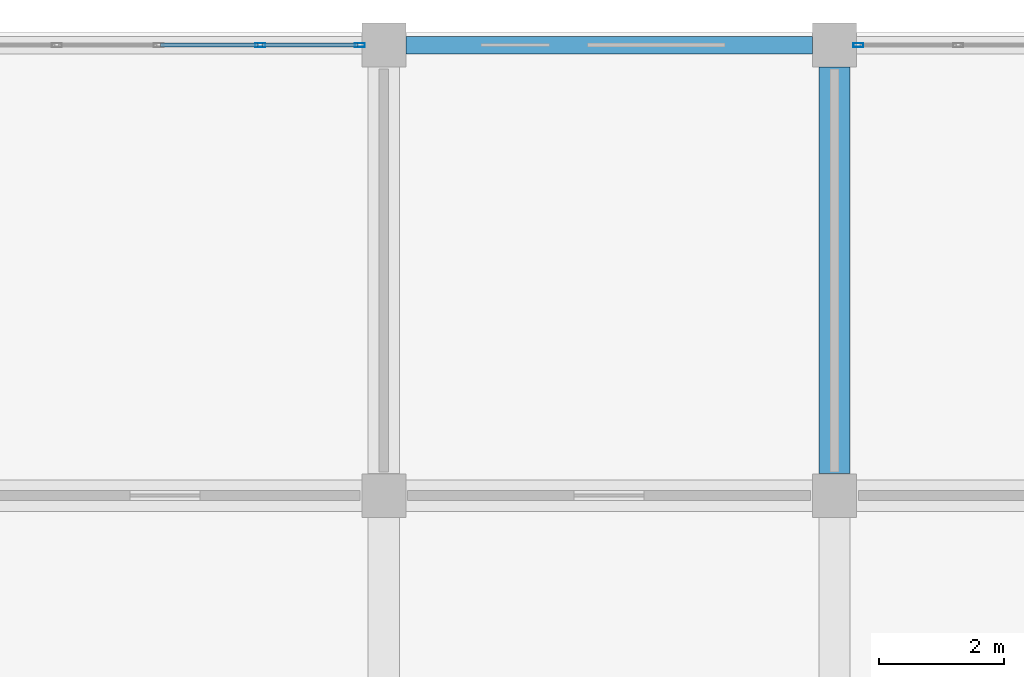
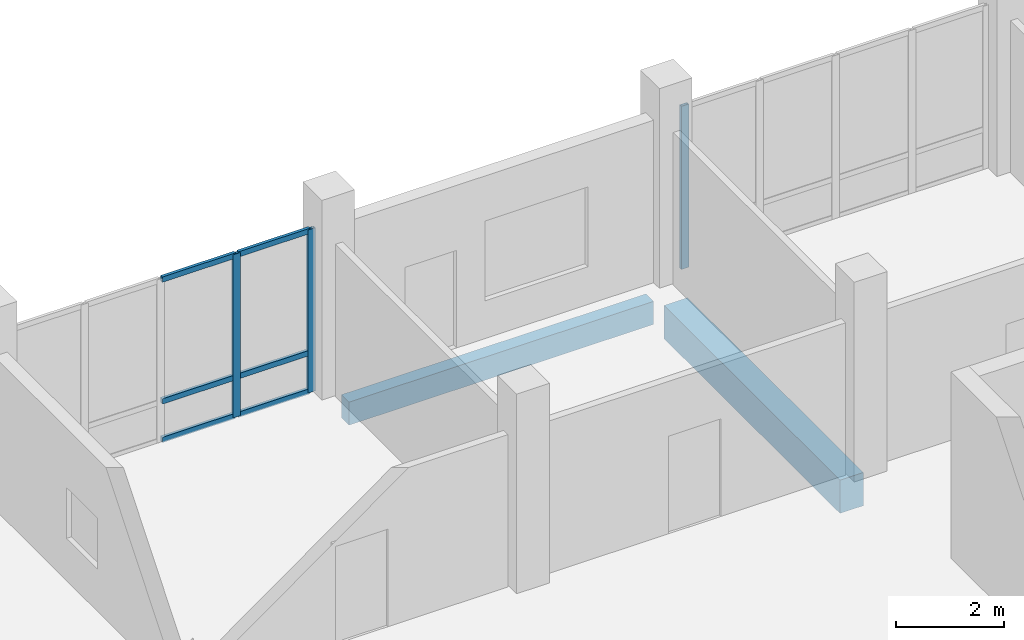
# One storey, part 92 of 139: 9 members, 2 beams, 2 elements without a shape of their own.
"""IFC4 building model written with IfcOpenShell, lengths in metres."""

import ifcopenshell
import ifcopenshell.guid

model = None  # the IFC model being written
_history = None  # IfcOwnerHistory: only IFC2X3 demands one
_inside = {}  # id of a spatial element -> (the spatial element, [elements in it])
_under = {}  # id of a project, library or spatial element -> (it, [spatial elements below it])
_declared = {}  # id of a project -> (the project, [libraries it declares])
_typed = {}  # id of a type object -> (the type object, [elements of that type])
_made_of = {}  # id of a material, layer set ... -> (it, [elements and type objects made of it])


def new_model(schema):
    """Start an empty IFC model of exactly this schema.

    Asked for "IFC4X3", IfcOpenShell would pick the latest addendum, in which some entities
    have other attributes; the version numbers below select the first issue.
    IFC2X3 requires an IfcOwnerHistory on every rooted entity: one is made here for all.
    """
    global model, _history
    if schema == "IFC4X3":
        model = ifcopenshell.file(schema_version=(4, 3, 0, 0))
    else:
        model = ifcopenshell.file(schema=schema)
    _inside.clear()
    _under.clear()
    _declared.clear()
    _typed.clear()
    _made_of.clear()
    _history = None
    if model.schema == "IFC2X3":
        org = make("IfcOrganization", Name="unknown")
        user = make(
            "IfcPersonAndOrganization",
            ThePerson=make("IfcPerson", FamilyName="unknown"),
            TheOrganization=org,
        )
        app = make(
            "IfcApplication",
            ApplicationDeveloper=org,
            Version="unknown",
            ApplicationFullName="unknown",
            ApplicationIdentifier="unknown",
        )
        _history = make(
            "IfcOwnerHistory",
            OwningUser=user,
            OwningApplication=app,
            ChangeAction="ADDED",
            CreationDate=0,
        )
    return model


def make(cls, **values):
    """One entity of the class cls with the attributes given. An attribute that is None is left unset."""
    return model.create_entity(
        cls, **{name: value for name, value in values.items() if value is not None}
    )


def rooted(cls, **values):
    """An entity with a GlobalId (a new one), such as an element, a storey or a relation."""
    return make(cls, GlobalId=ifcopenshell.guid.new(), OwnerHistory=_history, **values)


def si_unit(unit_type, name, prefix=None):
    """IfcSIUnit, for example si_unit("LENGTHUNIT", "METRE", prefix="MILLI")."""
    return make("IfcSIUnit", UnitType=unit_type, Prefix=prefix, Name=name)


def assignment(units):
    """IfcUnitAssignment: the units of a project."""
    return None if units is None else make("IfcUnitAssignment", Units=units)


def point(xyz):
    """IfcCartesianPoint."""
    return None if xyz is None else make("IfcCartesianPoint", Coordinates=xyz)


def direction(xyz):
    """IfcDirection."""
    return None if xyz is None else make("IfcDirection", DirectionRatios=xyz)


def frame(location, z_axis=None, x_axis=None):
    """IfcAxis2Placement3D, a coordinate frame: its origin and axes. An axis left out is left unset."""
    return make(
        "IfcAxis2Placement3D",
        Location=point(location),
        Axis=direction(z_axis),
        RefDirection=direction(x_axis),
    )


def frame_2d(location, x_axis=None):
    """IfcAxis2Placement2D, a coordinate frame in the plane: its origin and x axis."""
    return make(
        "IfcAxis2Placement2D", Location=point(location), RefDirection=direction(x_axis)
    )


def origin():
    """The frame at (0, 0, 0) with its axes left unset."""
    return frame((0.0, 0.0, 0.0))


def origin_2d():
    """The frame at (0, 0) in the plane with its x axis left unset."""
    return frame_2d((0.0, 0.0))


def place(relative_to, where):
    """IfcLocalPlacement: puts the frame where relative to a parent placement (None: the world)."""
    return make(
        "IfcLocalPlacement", PlacementRelTo=relative_to, RelativePlacement=where
    )


def context(
    kind, dimensions, precision=None, world=None, true_north=None, identifier=None
):
    """IfcGeometricRepresentationContext, for example the 3D "Model" context."""
    return make(
        "IfcGeometricRepresentationContext",
        ContextIdentifier=identifier,
        ContextType=kind,
        CoordinateSpaceDimension=dimensions,
        Precision=precision,
        WorldCoordinateSystem=world,
        TrueNorth=true_north,
    )


def subcontext(parent, identifier, kind, view, scale=None):
    """IfcGeometricRepresentationSubContext, for example "Body" below "Model"."""
    return make(
        "IfcGeometricRepresentationSubContext",
        ContextIdentifier=identifier,
        ContextType=kind,
        ParentContext=parent,
        TargetScale=scale,
        TargetView=view,
    )


def project(units=None, contexts=None):
    """IfcProject with its units and contexts."""
    return rooted(
        "IfcProject",
        Name="project",
        RepresentationContexts=contexts,
        UnitsInContext=assignment(units),
    )


def spatial(cls, under=None, at=None, **own):
    """A site, building, storey or space (cls), placed at a placement, below another one or the project."""
    s = rooted(cls, ObjectPlacement=at, **own)
    if under is not None:
        _under.setdefault(under.id(), (under, []))[1].append(s)
    return s


def profile(cls, at=None, kind="AREA", **sizes):
    """A parametric profile (cls). Its sizes go by their IFC names, for example OverallWidth=200.0."""
    return make(cls, ProfileType=kind, Position=at, **sizes)


def rectangle(**sizes):
    """IfcRectangleProfileDef."""
    return profile("IfcRectangleProfileDef", **sizes)


def hollow_rectangle(**sizes):
    """IfcRectangleHollowProfileDef."""
    return profile("IfcRectangleHollowProfileDef", **sizes)


def extrude(swept, where, along, depth):
    """IfcExtrudedAreaSolid: the profile swept, set in the frame where, extruded along a direction by depth."""
    return make(
        "IfcExtrudedAreaSolid",
        SweptArea=swept,
        Position=where,
        ExtrudedDirection=direction(along),
        Depth=depth,
    )


def shape(context_of_items, identifier, shape_type, items):
    """IfcShapeRepresentation: the items that make up one representation, for example the "Body"."""
    return make(
        "IfcShapeRepresentation",
        ContextOfItems=context_of_items,
        RepresentationIdentifier=identifier,
        RepresentationType=shape_type,
        Items=items,
    )


def material(Name=None, Category=None):
    """IfcMaterial."""
    return make("IfcMaterial", Name=Name, Category=Category)


def material_profile(
    of_material, cross_section, Name=None, Category=None, Priority=None
):
    """IfcMaterialProfile: a cross section and its material."""
    return make(
        "IfcMaterialProfile",
        Name=Name,
        Material=of_material,
        Profile=cross_section,
        Priority=Priority,
        Category=Category,
    )


def profile_set(profiles, Name=None, composite=None):
    """IfcMaterialProfileSet."""
    return make(
        "IfcMaterialProfileSet",
        Name=Name,
        MaterialProfiles=profiles,
        CompositeProfile=composite,
    )


def made_of(thing, what):
    """Note that an element or type object is made of a material, layer set ...; save() writes the relation."""
    if what is not None:
        _made_of.setdefault(what.id(), (what, []))[1].append(thing)
    return thing


def type_object(cls, material=None, **own):
    """A type object (cls), such as IfcWallType, which elements share."""
    return made_of(rooted(cls, **own), material)


def element(
    cls,
    number,
    at=None,
    inside=None,
    cuts=None,
    type_object=None,
    material=None,
    context=None,
    identifier="Body",
    shape_type=None,
    held_by="IfcProductDefinitionShape",
    body=None,
    shapes=None,
    **own,
):
    """One element of the class cls, such as IfcWall. Its Tag is "e" and its number.

    at: its placement. inside: the storey or other place that contains it. cuts: it is an
    opening in that element (IfcRelVoidsElement). A single representation is given by context,
    identifier, shape_type and body (its items); several are given by shapes. held_by: the class
    of the entity that holds the representations. save() writes the other relations.
    """
    e = rooted(cls, Tag="e%d" % number, ObjectPlacement=at, **own)
    if body is not None:
        shapes = [shape(context, identifier, shape_type, body)]
    if shapes is not None:
        e.Representation = make(held_by, Representations=shapes)
    if inside is not None:
        _inside.setdefault(inside.id(), (inside, []))[1].append(e)
    if cuts is not None:
        rooted(
            "IfcRelVoidsElement", RelatingBuildingElement=cuts, RelatedOpeningElement=e
        )
    if type_object is not None:
        _typed.setdefault(type_object.id(), (type_object, []))[1].append(e)
    return made_of(e, material)


def aggregate(whole, parts):
    """IfcRelAggregates: a whole, such as a stair, and the parts it consists of."""
    return rooted("IfcRelAggregates", RelatingObject=whole, RelatedObjects=parts)


def save(model, path):
    """Write the relations noted so far, then the file.

    IfcRelAggregates (storeys below a building ...), IfcRelContainedInSpatialStructure (elements
    in a storey), IfcRelDefinesByType, IfcRelAssociatesMaterial and IfcRelDeclares: one each for
    every whole, place, type object, material and project.
    """
    for whole, parts in _under.values():
        aggregate(whole, parts)
    for where, things in _inside.values():
        rooted(
            "IfcRelContainedInSpatialStructure",
            RelatedElements=things,
            RelatingStructure=where,
        )
    for kind, things in _typed.values():
        rooted("IfcRelDefinesByType", RelatedObjects=things, RelatingType=kind)
    for what, things in _made_of.values():
        rooted("IfcRelAssociatesMaterial", RelatedObjects=things, RelatingMaterial=what)
    for by, libraries in _declared.values():
        rooted("IfcRelDeclares", RelatingContext=by, RelatedDefinitions=libraries)
    model.write(path)


model = new_model("IFC4")

# Units and contexts
model_context = context("Model", 3, precision=1e-05, world=origin(), true_north=direction((0.0, 1.0)))
body_context = subcontext(model_context, "Body", "Model", "MODEL_VIEW")
ifc_project = project(units=[si_unit("LENGTHUNIT", "METRE"), si_unit("AREAUNIT", "SQUARE_METRE"), si_unit("VOLUMEUNIT", "CUBIC_METRE"), si_unit("PLANEANGLEUNIT", "RADIAN"), si_unit("MASSUNIT", "GRAM", prefix="KILO")], contexts=[model_context])

# Site, building, storey
site_placement = place(None, origin())
site = spatial("IfcSite", under=ifc_project, at=site_placement, CompositionType="ELEMENT")
building_placement = place(site_placement, origin())
building = spatial("IfcBuilding", under=site, at=building_placement, Name="Suanplinth Sawtooth Commons", CompositionType="ELEMENT")
storey_placement = place(building_placement, origin())
storey = spatial("IfcBuildingStorey", under=building, at=storey_placement, Name="L00", CompositionType="ELEMENT", Elevation=0.0)

# Beams
ifc_material_1 = material(Name="Concrete C40/50", Category="concrete")
ifc_material_profile_1 = material_profile(ifc_material_1, rectangle(XDim=0.5, YDim=0.75, at=origin_2d()), Name="RC-GDR 500x750")
ifc_profile_set_1 = profile_set([ifc_material_profile_1], Name="Concrete C40/50")
beam_type_1 = type_object("IfcBeamType", Name="B-03", PredefinedType="USERDEFINED", material=ifc_profile_set_1)
beam_1_placement = place(storey_placement, frame((136.800048828125, 115.550048828125, -0.794921875), z_axis=(0.0, 1.0, 0.0), x_axis=(-1.0, 0.0, 0.0)))
element("IfcBeam", 1, at=beam_1_placement, inside=storey, type_object=beam_type_1, Name="BMY-L00-B-19-16", ObjectType="GIRDER", PredefinedType="USERDEFINED", context=body_context, shape_type="SweptSolid", body=[
    extrude(rectangle(XDim=0.5, YDim=0.75, at=origin_2d()), origin(), (0.0, 0.0, 1.0), 6.5),
])
ifc_material_2 = material(Name="Precast concrete C40/50", Category="concrete")
ifc_material_profile_2 = material_profile(ifc_material_2, rectangle(XDim=0.280029296875, YDim=0.52001953125, at=origin_2d()), Name="PC-SP 280x520")
ifc_profile_set_2 = profile_set([ifc_material_profile_2], Name="Precast concrete C40/50")
beam_type_2 = type_object("IfcBeamType", Name="B-08", PredefinedType="SPANDREL", material=ifc_profile_set_2)
beam_2_placement = place(storey_placement, frame((129.949951171875, 122.39990234375, -0.679931640625), z_axis=(1.0, 0.0, 0.0), x_axis=(0.0, 1.0, 0.0)))
element("IfcBeam", 2, at=beam_2_placement, inside=storey, type_object=beam_type_2, Name="BMX-L00-B-18-17", PredefinedType="SPANDREL", context=body_context, shape_type="SweptSolid", body=[
    extrude(rectangle(XDim=0.280029296875, YDim=0.52001953125, at=origin_2d()), origin(), (0.0, 0.0, 1.0), 6.5),
])

# Curtain wall, members
ifc_material_3 = material(Name="Anodized aluminium and low-E glazing", Category="aluminium")
curtain_wall_type = type_object("IfcCurtainWallType", Name="CW-04", PredefinedType="USERDEFINED", material=ifc_material_3)
curtain_wall_1_placement = place(storey_placement, origin())
curtain_wall_1 = element("IfcCurtainWall", 3, at=curtain_wall_1_placement, inside=storey, type_object=curtain_wall_type, Name="Curtain Wall CW-L00-B-N-17", ObjectType="CURTAIN WALL", PredefinedType="USERDEFINED")
ifc_material_4 = material(Name="Anodized aluminium 6063-T6", Category="aluminium")
ifc_material_profile_3 = material_profile(ifc_material_4, hollow_rectangle(XDim=0.06494140625, YDim=0.159912109375, WallThickness=0.00390625, at=origin_2d()), Name="ALU-MUL 65x160")
ifc_profile_set_3 = profile_set([ifc_material_profile_3], Name="Anodized aluminium 6063-T6")
member_type_1 = type_object("IfcMemberType", Name="M-13", PredefinedType="MULLION", material=ifc_profile_set_3)
member_1_placement = place(storey_placement, frame((127.625, 122.39990234375, 0.0), z_axis=(0.0, 0.0, 1.0), x_axis=(0.0, 1.0, 0.0)))
member_1 = element("IfcMember", 4, at=member_1_placement, type_object=member_type_1, Name="CW-04 mullion 4", PredefinedType="MULLION", context=body_context, shape_type="SweptSolid", body=[
    extrude(hollow_rectangle(XDim=0.06494140625, YDim=0.159912109375, WallThickness=0.00390625, at=origin_2d()), origin(), (0.0, 0.0, 1.0), 3.679931640625),
])
member_2_placement = place(storey_placement, frame((129.217529296875, 122.39990234375, 0.0), z_axis=(0.0, 0.0, 1.0), x_axis=(0.0, 1.0, 0.0)))
member_2 = element("IfcMember", 5, at=member_2_placement, type_object=member_type_1, Name="CW-04 mullion 5", PredefinedType="MULLION", context=body_context, shape_type="SweptSolid", body=[
    extrude(hollow_rectangle(XDim=0.06494140625, YDim=0.159912109375, WallThickness=0.00390625, at=origin_2d()), origin(), (0.0, 0.0, 1.0), 3.679931640625),
])

# Curtain wall, member
curtain_wall_2_placement = place(storey_placement, origin())
curtain_wall_2 = element("IfcCurtainWall", 6, at=curtain_wall_2_placement, inside=storey, type_object=curtain_wall_type, Name="Curtain Wall CW-L00-B-N-19", ObjectType="CURTAIN WALL", PredefinedType="USERDEFINED")
member_3_placement = place(storey_placement, frame((137.1826171875, 122.39990234375, 0.0), z_axis=(0.0, 0.0, 1.0), x_axis=(0.0, 1.0, 0.0)))
member_3 = element("IfcMember", 7, at=member_3_placement, type_object=member_type_1, Name="CW-04 mullion 1", PredefinedType="MULLION", context=body_context, shape_type="SweptSolid", body=[
    extrude(hollow_rectangle(XDim=0.06494140625, YDim=0.159912109375, WallThickness=0.00390625, at=origin_2d()), origin(), (0.0, 0.0, 1.0), 3.679931640625),
])
aggregate(curtain_wall_2, [member_3])

# Member
ifc_material_profile_4 = material_profile(ifc_material_4, hollow_rectangle(XDim=0.06494140625, YDim=0.1201171875, WallThickness=0.00390625, at=origin_2d()), Name="ALU-TRN 65x120")
ifc_profile_set_4 = profile_set([ifc_material_profile_4], Name="Anodized aluminium 6063-T6")
member_type_2 = type_object("IfcMemberType", Name="M-15", PredefinedType="USERDEFINED", material=ifc_profile_set_4)
member_4_placement = place(storey_placement, frame((126.032470703125, 122.39990234375, 0.032470703125), z_axis=(1.0, 0.0, 0.0), x_axis=(0.0, 1.0, 0.0)))
member_4 = element("IfcMember", 8, at=member_4_placement, type_object=member_type_2, Name="CW-04 transom 3.1", ObjectType="TRANSOM", PredefinedType="USERDEFINED", context=body_context, shape_type="SweptSolid", body=[
    extrude(hollow_rectangle(XDim=0.06494140625, YDim=0.1201171875, WallThickness=0.00390625, at=origin_2d()), origin(), (0.0, 0.0, 1.0), 1.56005859375),
])

member_5_placement = place(storey_placement, frame((126.032470703125, 122.39990234375, 0.89990234375), z_axis=(1.0, 0.0, 0.0), x_axis=(0.0, 1.0, 0.0)))
member_5 = element("IfcMember", 9, at=member_5_placement, type_object=member_type_2, Name="CW-04 transom 3.2", ObjectType="TRANSOM", PredefinedType="USERDEFINED", context=body_context, shape_type="SweptSolid", body=[
    extrude(hollow_rectangle(XDim=0.06494140625, YDim=0.1201171875, WallThickness=0.00390625, at=origin_2d()), origin(), (0.0, 0.0, 1.0), 1.56005859375),
])

member_6_placement = place(storey_placement, frame((126.032470703125, 122.39990234375, 3.6474609375), z_axis=(1.0, 0.0, 0.0), x_axis=(0.0, 1.0, 0.0)))
member_6 = element("IfcMember", 10, at=member_6_placement, type_object=member_type_2, Name="CW-04 transom 3.3", ObjectType="TRANSOM", PredefinedType="USERDEFINED", context=body_context, shape_type="SweptSolid", body=[
    extrude(hollow_rectangle(XDim=0.06494140625, YDim=0.1201171875, WallThickness=0.00390625, at=origin_2d()), origin(), (0.0, 0.0, 1.0), 1.56005859375),
])

member_7_placement = place(storey_placement, frame((127.657470703125, 122.39990234375, 0.032470703125), z_axis=(1.0, 0.0, 0.0), x_axis=(0.0, 1.0, 0.0)))
member_7 = element("IfcMember", 11, at=member_7_placement, type_object=member_type_2, Name="CW-04 transom 4.1", ObjectType="TRANSOM", PredefinedType="USERDEFINED", context=body_context, shape_type="SweptSolid", body=[
    extrude(hollow_rectangle(XDim=0.06494140625, YDim=0.1201171875, WallThickness=0.00390625, at=origin_2d()), origin(), (0.0, 0.0, 1.0), 1.527587890625),
])

member_8_placement = place(storey_placement, frame((127.657470703125, 122.39990234375, 0.89990234375), z_axis=(1.0, 0.0, 0.0), x_axis=(0.0, 1.0, 0.0)))
member_8 = element("IfcMember", 12, at=member_8_placement, type_object=member_type_2, Name="CW-04 transom 4.2", ObjectType="TRANSOM", PredefinedType="USERDEFINED", context=body_context, shape_type="SweptSolid", body=[
    extrude(hollow_rectangle(XDim=0.06494140625, YDim=0.1201171875, WallThickness=0.00390625, at=origin_2d()), origin(), (0.0, 0.0, 1.0), 1.527587890625),
])

member_9_placement = place(storey_placement, frame((127.657470703125, 122.39990234375, 3.6474609375), z_axis=(1.0, 0.0, 0.0), x_axis=(0.0, 1.0, 0.0)))
member_9 = element("IfcMember", 13, at=member_9_placement, type_object=member_type_2, Name="CW-04 transom 4.3", ObjectType="TRANSOM", PredefinedType="USERDEFINED", context=body_context, shape_type="SweptSolid", body=[
    extrude(hollow_rectangle(XDim=0.06494140625, YDim=0.1201171875, WallThickness=0.00390625, at=origin_2d()), origin(), (0.0, 0.0, 1.0), 1.527587890625),
])

aggregate(curtain_wall_1, [member_1, member_2, member_4, member_5, member_6, member_7, member_8, member_9])

save(model, "model.ifc")
